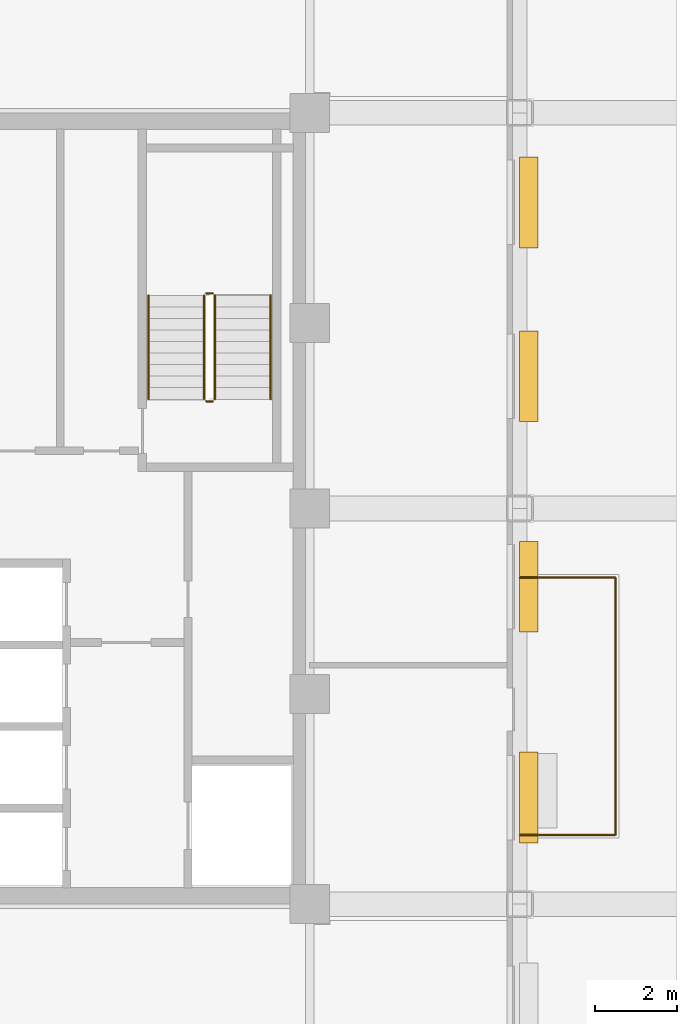
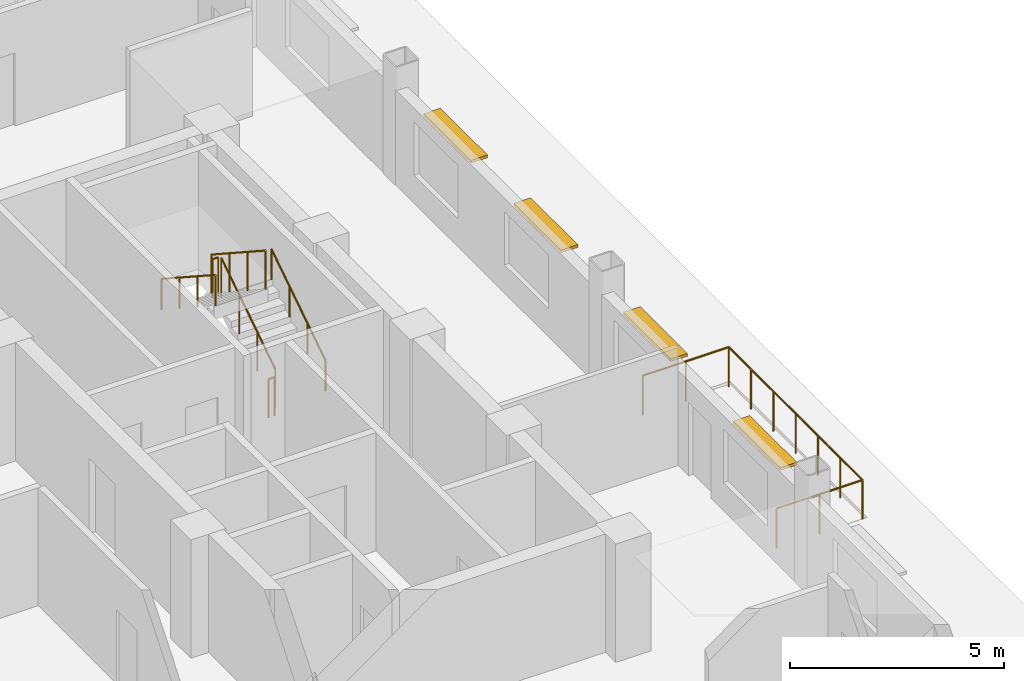
# One storey, part 16 of 17: 7 railings, 4 shading devices.
"""IFC4 building model written with IfcOpenShell, lengths in metres."""

from ifc_helpers import new_model, si_unit, direction, frame, origin, origin_2d, place, context, subcontext, project, spatial, rectangle, circle, extrude, source, transform, mapped, material, type_object, type_shapes, element, save


model = new_model("IFC4")

# Units and contexts
model_context = context("Model", 3, precision=1e-05, world=origin(), true_north=direction((0.0, 1.0)))
body_context = subcontext(model_context, "Body", "Model", "MODEL_VIEW")
ifc_project = project(units=[si_unit("LENGTHUNIT", "METRE"), si_unit("AREAUNIT", "SQUARE_METRE"), si_unit("VOLUMEUNIT", "CUBIC_METRE"), si_unit("PLANEANGLEUNIT", "RADIAN"), si_unit("MASSUNIT", "GRAM", prefix="KILO")], contexts=[model_context])

# Site, building, storey
site_placement = place(None, origin())
site = spatial("IfcSite", under=ifc_project, at=site_placement, CompositionType="ELEMENT")
building_placement = place(site_placement, origin())
building = spatial("IfcBuilding", under=site, at=building_placement, Name="Nuvemarco Arch Tower", CompositionType="ELEMENT")
storey_placement = place(building_placement, frame((0.0, 0.0, 167.64990234375)))
storey = spatial("IfcBuildingStorey", under=building, at=storey_placement, Name="L44", CompositionType="ELEMENT", Elevation=167.64990234375)

# Railings
ifc_material_1 = material(Name="Brushed stainless steel handrail", Category="steel")
railing_type_1 = type_object("IfcRailingType", Name="RL-HANDRAIL-900", PredefinedType="HANDRAIL", material=ifc_material_1)
railing_1_placement = place(storey_placement, frame((16.550048828125, 2.64990234375, 0.1826171875)))
element("IfcRailing", 1, at=railing_1_placement, inside=storey, type_object=railing_type_1, Name="L44 ST-2 stair handrail 1", PredefinedType="HANDRAIL", context=body_context, shape_type="SweptSolid", body=[
    extrude(circle(Radius=0.02392578125, at=origin_2d()), frame((0.0, 0.0, 0.8759765625), z_axis=(0.0, 0.837749427056, 0.546054848405), x_axis=(-1.0, 0.0, 0.0)), (0.0, 0.0, 1.0), 3.008056640625),
    extrude(circle(Radius=0.02099609375, at=origin_2d()), origin(), (0.0, 0.0, 1.0), 0.851806640625),
    extrude(circle(Radius=0.02099609375, at=origin_2d()), frame((0.0, 0.840087890625, 0.547607421875)), (0.0, 0.0, 1.0), 0.851806640625),
    extrude(circle(Radius=0.02099609375, at=origin_2d()), frame((0.0, 1.679931640625, 1.094970703125)), (0.0, 0.0, 1.0), 0.851806640625),
    extrude(circle(Radius=0.02099609375, at=origin_2d()), frame((0.0, 2.52001953125, 1.642578125)), (0.0, 0.0, 1.0), 0.851806640625),
])
railing_2_placement = place(storey_placement, frame((13.590087890625, 5.169921875, 2.007568359375)))
element("IfcRailing", 2, at=railing_2_placement, inside=storey, type_object=railing_type_1, Name="L44 ST-2 stair handrail 2", PredefinedType="HANDRAIL", context=body_context, shape_type="SweptSolid", body=[
    extrude(circle(Radius=0.02392578125, at=origin_2d()), frame((0.0, 0.0, 0.8759765625), z_axis=(0.0, -0.837749427056, 0.546054848405), x_axis=(1.0, 0.0, 0.0)), (0.0, 0.0, 1.0), 3.008056640625),
    extrude(circle(Radius=0.02099609375, at=origin_2d()), origin(), (0.0, 0.0, 1.0), 0.851806640625),
    extrude(circle(Radius=0.02099609375, at=origin_2d()), frame((0.0, -0.840087890625, 0.547607421875)), (0.0, 0.0, 1.0), 0.851806640625),
    extrude(circle(Radius=0.02099609375, at=origin_2d()), frame((0.0, -1.679931640625, 1.094970703125)), (0.0, 0.0, 1.0), 0.851806640625),
    extrude(circle(Radius=0.02099609375, at=origin_2d()), frame((0.0, -2.52001953125, 1.642578125)), (0.0, 0.0, 1.0), 0.851806640625),
])
ifc_material_2 = material(Name="Painted balustrade steel S355", Category="steel")
railing_type_2 = type_object("IfcRailingType", Name="RL-STAIR-GUARD", PredefinedType="GUARDRAIL", material=ifc_material_2)
railing_3_placement = place(storey_placement, frame((15.199951171875, 2.64990234375, 0.1826171875)))
element("IfcRailing", 3, at=railing_3_placement, inside=storey, type_object=railing_type_2, Name="L44 ST-2 stair guard 1", PredefinedType="GUARDRAIL", context=body_context, shape_type="SweptSolid", body=[
    extrude(circle(Radius=0.02392578125, at=origin_2d()), frame((0.0, 0.0, 1.09619140625), z_axis=(0.0, 0.837749427056, 0.546054848405), x_axis=(-1.0, 0.0, 0.0)), (0.0, 0.0, 1.0), 3.008056640625),
    extrude(circle(Radius=0.02099609375, at=origin_2d()), origin(), (0.0, 0.0, 1.0), 1.072021484375),
    extrude(circle(Radius=0.02099609375, at=origin_2d()), frame((0.0, 0.840087890625, 0.547607421875)), (0.0, 0.0, 1.0), 1.072021484375),
    extrude(circle(Radius=0.02099609375, at=origin_2d()), frame((0.0, 1.679931640625, 1.094970703125)), (0.0, 0.0, 1.0), 1.072021484375),
    extrude(circle(Radius=0.02099609375, at=origin_2d()), frame((0.0, 2.52001953125, 1.642578125)), (0.0, 0.0, 1.0), 1.072021484375),
])
railing_4_placement = place(storey_placement, frame((15.14990234375, 5.219970703125, 1.8251953125)))
element("IfcRailing", 4, at=railing_4_placement, inside=storey, type_object=railing_type_2, Name="L44 ST-2 stair guard 2", PredefinedType="GUARDRAIL", context=body_context, shape_type="SweptSolid", body=[
    extrude(circle(Radius=0.02392578125, at=origin_2d()), frame((0.0, 0.0, 1.09619140625), z_axis=(-1.0, 0.0, 0.0), x_axis=(0.0, -1.0, 0.0)), (0.0, 0.0, 1.0), 0.159912109375),
    extrude(circle(Radius=0.02099609375, at=origin_2d()), origin(), (0.0, 0.0, 1.0), 1.072021484375),
    extrude(circle(Radius=0.02099609375, at=origin_2d()), frame((-0.159912109375, 0.0, 0.0)), (0.0, 0.0, 1.0), 1.072021484375),
])
railing_5_placement = place(storey_placement, frame((14.93994140625, 5.169921875, 2.007568359375)))
element("IfcRailing", 5, at=railing_5_placement, inside=storey, type_object=railing_type_2, Name="L44 ST-2 stair guard 3", PredefinedType="GUARDRAIL", context=body_context, shape_type="SweptSolid", body=[
    extrude(circle(Radius=0.02392578125, at=origin_2d()), frame((0.0, 0.0, 1.09619140625), z_axis=(0.0, -0.837749427056, 0.546054848405), x_axis=(1.0, 0.0, 0.0)), (0.0, 0.0, 1.0), 3.008056640625),
    extrude(circle(Radius=0.02099609375, at=origin_2d()), origin(), (0.0, 0.0, 1.0), 1.072021484375),
    extrude(circle(Radius=0.02099609375, at=origin_2d()), frame((0.0, -0.840087890625, 0.547607421875)), (0.0, 0.0, 1.0), 1.072021484375),
    extrude(circle(Radius=0.02099609375, at=origin_2d()), frame((0.0, -1.679931640625, 1.094970703125)), (0.0, 0.0, 1.0), 1.072021484375),
    extrude(circle(Radius=0.02099609375, at=origin_2d()), frame((0.0, -2.52001953125, 1.642578125)), (0.0, 0.0, 1.0), 1.072021484375),
])
railing_6_placement = place(storey_placement, frame((15.14990234375, 2.60009765625, 0.0)))
element("IfcRailing", 6, at=railing_6_placement, inside=storey, type_object=railing_type_2, Name="L44 ST-2 stair guard 4", PredefinedType="GUARDRAIL", context=body_context, shape_type="SweptSolid", body=[
    extrude(circle(Radius=0.02392578125, at=origin_2d()), frame((0.0, 0.0, 1.09619140625), z_axis=(-1.0, 0.0, 0.0), x_axis=(0.0, -1.0, 0.0)), (0.0, 0.0, 1.0), 0.159912109375),
    extrude(circle(Radius=0.02099609375, at=origin_2d()), origin(), (0.0, 0.0, 1.0), 1.072021484375),
    extrude(circle(Radius=0.02099609375, at=origin_2d()), frame((-0.159912109375, 0.0, 0.0)), (0.0, 0.0, 1.0), 1.072021484375),
])
ifc_material_3 = material(Name="Dark anodised balustrade steel S355", Category="steel")
railing_type_3 = type_object("IfcRailingType", Name="RL-TERR-GUARD", PredefinedType="BALUSTRADE", material=ifc_material_3)
railing_7_placement = place(storey_placement, frame((22.60009765625, -7.919921875, 0.0)))
element("IfcRailing", 7, at=railing_7_placement, inside=storey, type_object=railing_type_3, Name="L44 spiral terrace perimeter balustrade guard", PredefinedType="BALUSTRADE", context=body_context, shape_type="SweptSolid", body=[
    extrude(circle(Radius=0.02392578125, at=origin_2d()), frame((0.0, 0.0, 1.1259765625), z_axis=(1.0, 0.0, 0.0), x_axis=(0.0, 1.0, 0.0)), (0.0, 0.0, 1.0), 2.31982421875),
    extrude(circle(Radius=0.02392578125, at=origin_2d()), frame((2.31982421875, 0.0, 1.1259765625), z_axis=(0.0, 1.0, 0.0), x_axis=(-1.0, 0.0, 0.0)), (0.0, 0.0, 1.0), 6.239990234375),
    extrude(circle(Radius=0.02392578125, at=origin_2d()), frame((2.31982421875, 6.239990234375, 1.1259765625), z_axis=(-1.0, 0.0, 0.0), x_axis=(0.0, -1.0, 0.0)), (0.0, 0.0, 1.0), 2.31982421875),
    extrude(circle(Radius=0.02099609375, at=origin_2d()), origin(), (0.0, 0.0, 1.0), 1.101806640625),
    extrude(circle(Radius=0.02099609375, at=origin_2d()), frame((1.159912109375, 0.0, 0.0)), (0.0, 0.0, 1.0), 1.101806640625),
    extrude(circle(Radius=0.02099609375, at=origin_2d()), frame((2.31982421875, 0.0, 0.0)), (0.0, 0.0, 1.0), 1.101806640625),
    extrude(circle(Radius=0.02099609375, at=origin_2d()), frame((2.31982421875, 1.0400390625, 0.0)), (0.0, 0.0, 1.0), 1.101806640625),
    extrude(circle(Radius=0.02099609375, at=origin_2d()), frame((2.31982421875, 2.080078125, 0.0)), (0.0, 0.0, 1.0), 1.101806640625),
    extrude(circle(Radius=0.02099609375, at=origin_2d()), frame((2.31982421875, 3.1201171875, 0.0)), (0.0, 0.0, 1.0), 1.101806640625),
    extrude(circle(Radius=0.02099609375, at=origin_2d()), frame((2.31982421875, 4.159912109375, 0.0)), (0.0, 0.0, 1.0), 1.101806640625),
    extrude(circle(Radius=0.02099609375, at=origin_2d()), frame((2.31982421875, 5.199951171875, 0.0)), (0.0, 0.0, 1.0), 1.101806640625),
    extrude(circle(Radius=0.02099609375, at=origin_2d()), frame((2.31982421875, 6.239990234375, 0.0)), (0.0, 0.0, 1.0), 1.101806640625),
    extrude(circle(Radius=0.02099609375, at=origin_2d()), frame((1.159912109375, 6.239990234375, 0.0)), (0.0, 0.0, 1.0), 1.101806640625),
    extrude(circle(Radius=0.02099609375, at=origin_2d()), frame((0.0, 6.239990234375, 0.0)), (0.0, 0.0, 1.0), 1.101806640625),
])

# Shading devices
ifc_material_4 = material(Name="Anodised aluminium 6063-T6", Category="aluminium")
shading_device_type = type_object("IfcShadingDeviceType", Name="SHD-BRISE-SOLEIL", PredefinedType="USERDEFINED", material=ifc_material_4)
shared_shape = source(origin(), body_context, "Body", "SweptSolid", [
    extrude(rectangle(XDim=2.199951171875, YDim=0.449951171875, at=origin_2d()), origin(), (0.0, 0.0, 1.0), 0.080078125),
])
type_shapes(shading_device_type, [shared_shape])
for number, where, z_axis, x_axis, name in (
    (8, (22.81494140625, -7.0126953125, 2.324951171875), (0.0, 0.0, 1.0), (0.0, 1.0, 0.0), "L44 horizontal brise-soleil sunshade"),
    (9, (22.81494140625, -1.89990234375, 2.324951171875), (0.0, 0.0, 1.0), (0.0, 1.0, 0.0), "L44 horizontal brise-soleil sunshade"),
    (10, (22.81494140625, 3.212646484375, 2.324951171875), (0.0, 0.0, 1.0), (0.0, 1.0, 0.0), "L44 horizontal brise-soleil sunshade"),
    (11, (22.81494140625, 7.425048828125, 2.324951171875), (0.0, 0.0, 1.0), (0.0, 1.0, 0.0), "L44 horizontal brise-soleil sunshade"),
):
    element("IfcShadingDevice", number, at=place(storey_placement, frame(where, z_axis=z_axis, x_axis=x_axis)), inside=storey, type_object=shading_device_type, Name=name, ObjectType="SUNSHADE", PredefinedType="USERDEFINED", context=body_context, shape_type="MappedRepresentation", body=[
        mapped(shared_shape, transform((0.0, 0.0, 0.0), scale=1.0)),
    ])

save(model, "model.ifc")
